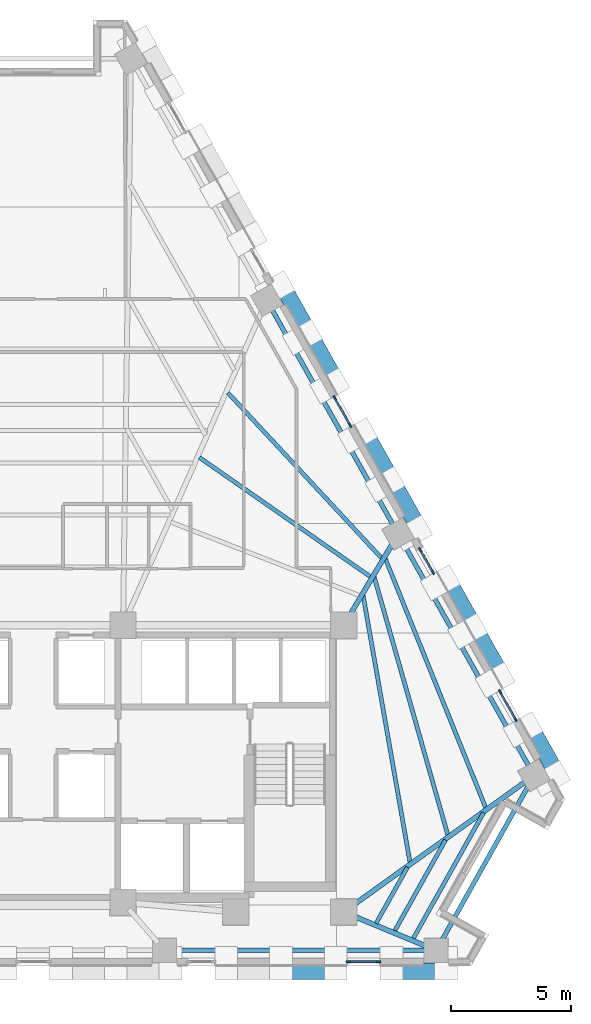
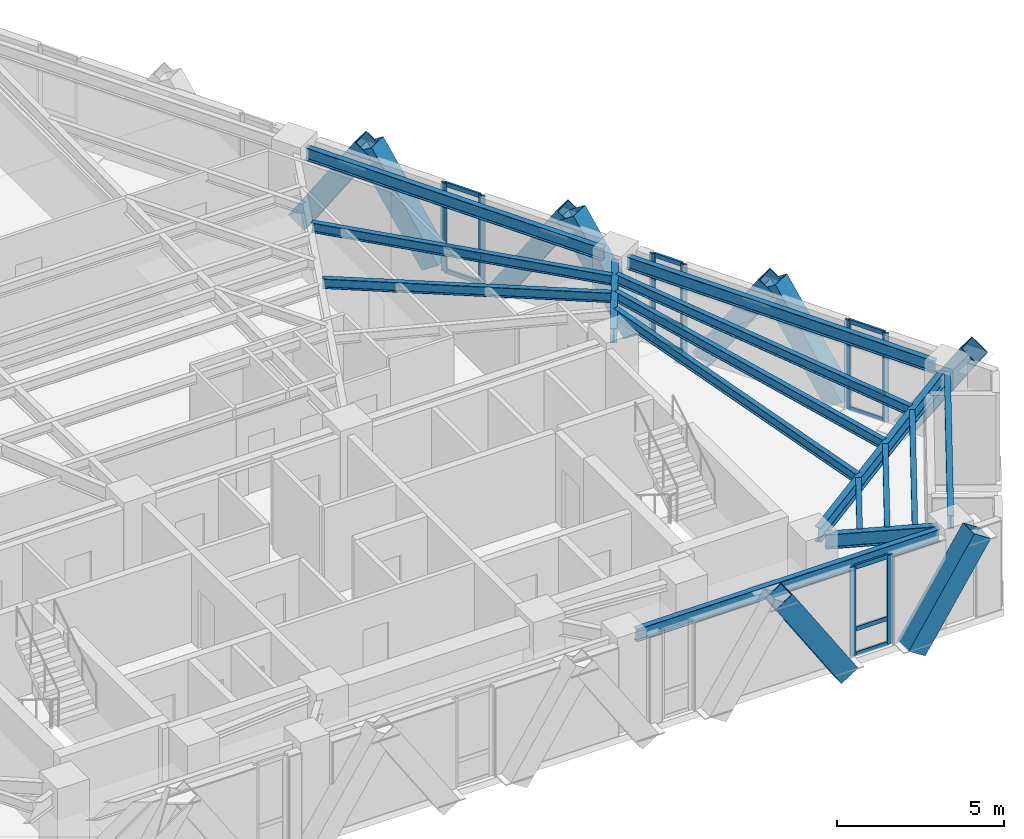
# One storey, part 4 of 13: 29 members, 15 beams, 4 elements without a shape of their own.
"""IFC4 building model written with IfcOpenShell, lengths in metres."""

from ifc_helpers import new_model, si_unit, direction, frame, origin, origin_2d, place, context, subcontext, project, spatial, rectangle, hollow_rectangle, i_section, extrude, material, material_profile, profile_set, type_object, element, aggregate, save


model = new_model("IFC4")

# Units and contexts
model_context = context("Model", 3, precision=1e-05, world=origin(), true_north=direction((0.0, 1.0)))
body_context = subcontext(model_context, "Body", "Model", "MODEL_VIEW")
ifc_project = project(units=[si_unit("LENGTHUNIT", "METRE"), si_unit("AREAUNIT", "SQUARE_METRE"), si_unit("VOLUMEUNIT", "CUBIC_METRE"), si_unit("PLANEANGLEUNIT", "RADIAN"), si_unit("MASSUNIT", "GRAM", prefix="KILO")], contexts=[model_context])

# Site, building, storey
site_placement = place(None, origin())
site = spatial("IfcSite", under=ifc_project, at=site_placement, CompositionType="ELEMENT")
building_placement = place(site_placement, origin())
building = spatial("IfcBuilding", under=site, at=building_placement, Name="Quenlor Broadcast Tower", CompositionType="ELEMENT")
storey_placement = place(building_placement, frame((0.0, 0.0, 158.0)))
storey = spatial("IfcBuildingStorey", under=building, at=storey_placement, Name="L43", CompositionType="ELEMENT", Elevation=158.0)

# Curtain wall, members
ifc_material_1 = material(Name="Architectural Terracotta and Low-E Glazing", Category="masonry")
curtain_wall_type = type_object("IfcCurtainWallType", Name="Unitised Terracotta Curtain Wall System Z3", PredefinedType="NOTDEFINED", material=ifc_material_1)
curtain_wall_1_placement = place(storey_placement, origin())
curtain_wall_1 = element("IfcCurtainWall", 1, at=curtain_wall_1_placement, inside=storey, type_object=curtain_wall_type, Name="L43 Curtain Wall CW3 (L43-SA-G1)", PredefinedType="NOTDEFINED")
ifc_material_2 = material(Name="Aluminium 6063-T6", Category="aluminium")
ifc_material_profile_1 = material_profile(ifc_material_2, rectangle(XDim=0.070068359375, YDim=0.18994140625, at=origin_2d()))
ifc_profile_set_1 = profile_set([ifc_material_profile_1], Name="Aluminium 6063-T6 MULL70x190")
member_type_1 = type_object("IfcMemberType", Name="CW3 Aluminium Mullion MULL_CW3", PredefinedType="MULLION", material=ifc_profile_set_1)
member_1_placement = place(storey_placement, frame((14.409912109375, -18.824951171875, 0.0), z_axis=(0.0, 0.0, 1.0), x_axis=(0.0, -1.0, 0.0)))
member_1 = element("IfcMember", 2, at=member_1_placement, type_object=member_type_1, Name="CW3 mullion 1", PredefinedType="MULLION", context=body_context, shape_type="SweptSolid", body=[
    extrude(rectangle(XDim=0.070068359375, YDim=0.18994140625, at=origin_2d()), origin(), (0.0, 0.0, 1.0), 3.25),
])
member_2_placement = place(storey_placement, frame((13.14208984375, -18.824951171875, 0.0), z_axis=(0.0, 0.0, 1.0), x_axis=(0.0, -1.0, 0.0)))
member_2 = element("IfcMember", 3, at=member_2_placement, type_object=member_type_1, Name="CW3 mullion 2", PredefinedType="MULLION", context=body_context, shape_type="SweptSolid", body=[
    extrude(rectangle(XDim=0.070068359375, YDim=0.18994140625, at=origin_2d()), origin(), (0.0, 0.0, 1.0), 3.25),
])

curtain_wall_2_placement = place(storey_placement, origin())
curtain_wall_2 = element("IfcCurtainWall", 4, at=curtain_wall_2_placement, inside=storey, type_object=curtain_wall_type, Name="L43 Curtain Wall CW3 (L43-NEC-G1)", PredefinedType="NOTDEFINED")
member_3_placement = place(storey_placement, frame((16.137939453125, -1.646728515625, 0.0), z_axis=(0.0, 0.0, 1.0), x_axis=(0.871580169247, 0.490253004657, 0.0)))
member_3 = element("IfcMember", 5, at=member_3_placement, type_object=member_type_1, Name="CW3 mullion 1", PredefinedType="MULLION", context=body_context, shape_type="SweptSolid", body=[
    extrude(rectangle(XDim=0.070068359375, YDim=0.18994140625, at=origin_2d()), origin(), (0.0, 0.0, 1.0), 3.25),
])
member_4_placement = place(storey_placement, frame((16.6689453125, -2.5908203125, 0.0), z_axis=(0.0, 0.0, 1.0), x_axis=(0.871580169247, 0.490253004657, 0.0)))
member_4 = element("IfcMember", 6, at=member_4_placement, type_object=member_type_1, Name="CW3 mullion 2", PredefinedType="MULLION", context=body_context, shape_type="SweptSolid", body=[
    extrude(rectangle(XDim=0.070068359375, YDim=0.18994140625, at=origin_2d()), origin(), (0.0, 0.0, 1.0), 3.25),
])

curtain_wall_3_placement = place(storey_placement, origin())
curtain_wall_3 = element("IfcCurtainWall", 7, at=curtain_wall_3_placement, inside=storey, type_object=curtain_wall_type, Name="L43 Curtain Wall CW3 (L43-NEC-G2)", PredefinedType="NOTDEFINED")
member_5_placement = place(storey_placement, frame((19.47021484375, -7.570556640625, 0.0), z_axis=(0.0, 0.0, 1.0), x_axis=(0.871575537123, 0.490261239636, 0.0)))
member_5 = element("IfcMember", 8, at=member_5_placement, type_object=member_type_1, Name="CW3 mullion 1", PredefinedType="MULLION", context=body_context, shape_type="SweptSolid", body=[
    extrude(rectangle(XDim=0.070068359375, YDim=0.18994140625, at=origin_2d()), origin(), (0.0, 0.0, 1.0), 3.25),
])
member_6_placement = place(storey_placement, frame((20.1171875, -8.720703125, 0.0), z_axis=(0.0, 0.0, 1.0), x_axis=(0.871575537123, 0.490261239636, 0.0)))
member_6 = element("IfcMember", 9, at=member_6_placement, type_object=member_type_1, Name="CW3 mullion 2", PredefinedType="MULLION", context=body_context, shape_type="SweptSolid", body=[
    extrude(rectangle(XDim=0.070068359375, YDim=0.18994140625, at=origin_2d()), origin(), (0.0, 0.0, 1.0), 3.25),
])

curtain_wall_4_placement = place(storey_placement, origin())
curtain_wall_4 = element("IfcCurtainWall", 10, at=curtain_wall_4_placement, inside=storey, type_object=curtain_wall_type, Name="L43 Curtain Wall CW3 (L43-NE-G1)", PredefinedType="NOTDEFINED")
member_7_placement = place(storey_placement, frame((12.573974609375, 4.689208984375, 0.0), z_axis=(0.0, 0.0, 1.0), x_axis=(0.871562085714, 0.490285152484, 0.0)))
member_7 = element("IfcMember", 11, at=member_7_placement, type_object=member_type_1, Name="CW3 mullion 1", PredefinedType="MULLION", context=body_context, shape_type="SweptSolid", body=[
    extrude(rectangle(XDim=0.070068359375, YDim=0.18994140625, at=origin_2d()), origin(), (0.0, 0.0, 1.0), 3.25),
])
member_8_placement = place(storey_placement, frame((13.220947265625, 3.5390625, 0.0), z_axis=(0.0, 0.0, 1.0), x_axis=(0.871562085714, 0.490285152484, 0.0)))
member_8 = element("IfcMember", 12, at=member_8_placement, type_object=member_type_1, Name="CW3 mullion 2", PredefinedType="MULLION", context=body_context, shape_type="SweptSolid", body=[
    extrude(rectangle(XDim=0.070068359375, YDim=0.18994140625, at=origin_2d()), origin(), (0.0, 0.0, 1.0), 3.25),
])

# Member
ifc_material_3 = material(Name="Aluminium 6063-T6", Category="aluminium")
ifc_material_profile_2 = material_profile(ifc_material_3, rectangle(XDim=0.070068359375, YDim=0.155029296875, at=origin_2d()))
ifc_profile_set_2 = profile_set([ifc_material_profile_2], Name="Aluminium 6063-T6 TRAN70x155")
member_type_2 = type_object("IfcMemberType", Name="CW3 Aluminium Transom TRAN_CW3", PredefinedType="USERDEFINED", material=ifc_profile_set_2)
member_9_placement = place(storey_placement, frame((14.375, -18.824951171875, 0.034912109375), z_axis=(-1.0, 0.0, 0.0), x_axis=(0.0, -1.0, 0.0)))
member_9 = element("IfcMember", 13, at=member_9_placement, type_object=member_type_2, Name="CW3 transom 1.1", ObjectType="TRANSOM", PredefinedType="USERDEFINED", context=body_context, shape_type="SweptSolid", body=[
    extrude(rectangle(XDim=0.070068359375, YDim=0.155029296875, at=origin_2d()), origin(), (0.0, 0.0, 1.0), 1.197998046875),
])

member_10_placement = place(storey_placement, frame((14.375, -18.824951171875, 0.949951171875), z_axis=(-1.0, 0.0, 0.0), x_axis=(0.0, -1.0, 0.0)))
member_10 = element("IfcMember", 14, at=member_10_placement, type_object=member_type_2, Name="CW3 transom 1.2", ObjectType="TRANSOM", PredefinedType="USERDEFINED", context=body_context, shape_type="SweptSolid", body=[
    extrude(rectangle(XDim=0.070068359375, YDim=0.155029296875, at=origin_2d()), origin(), (0.0, 0.0, 1.0), 1.197998046875),
])

member_11_placement = place(storey_placement, frame((14.375, -18.824951171875, 3.215087890625), z_axis=(-1.0, 0.0, 0.0), x_axis=(0.0, -1.0, 0.0)))
member_11 = element("IfcMember", 15, at=member_11_placement, type_object=member_type_2, Name="CW3 transom 1.3", ObjectType="TRANSOM", PredefinedType="USERDEFINED", context=body_context, shape_type="SweptSolid", body=[
    extrude(rectangle(XDim=0.070068359375, YDim=0.155029296875, at=origin_2d()), origin(), (0.0, 0.0, 1.0), 1.197998046875),
])

aggregate(curtain_wall_1, [member_1, member_2, member_9, member_10, member_11])

member_12_placement = place(storey_placement, frame((16.1552734375, -1.67724609375, 0.034912109375), z_axis=(0.49015826449, -0.871633452635, 0.0), x_axis=(0.871633452635, 0.49015826449, 0.0)))
member_12 = element("IfcMember", 16, at=member_12_placement, type_object=member_type_2, Name="CW3 transom 1.1", ObjectType="TRANSOM", PredefinedType="USERDEFINED", context=body_context, shape_type="SweptSolid", body=[
    extrude(rectangle(XDim=0.070068359375, YDim=0.155029296875, at=origin_2d()), origin(), (0.0, 0.0, 1.0), 1.01318359375),
])

member_13_placement = place(storey_placement, frame((16.1552734375, -1.67724609375, 0.949951171875), z_axis=(0.49015826449, -0.871633452635, 0.0), x_axis=(0.871633452635, 0.49015826449, 0.0)))
member_13 = element("IfcMember", 17, at=member_13_placement, type_object=member_type_2, Name="CW3 transom 1.2", ObjectType="TRANSOM", PredefinedType="USERDEFINED", context=body_context, shape_type="SweptSolid", body=[
    extrude(rectangle(XDim=0.070068359375, YDim=0.155029296875, at=origin_2d()), origin(), (0.0, 0.0, 1.0), 1.01318359375),
])

member_14_placement = place(storey_placement, frame((16.1552734375, -1.67724609375, 3.215087890625), z_axis=(0.49015826449, -0.871633452635, 0.0), x_axis=(0.871633452635, 0.49015826449, 0.0)))
member_14 = element("IfcMember", 18, at=member_14_placement, type_object=member_type_2, Name="CW3 transom 1.3", ObjectType="TRANSOM", PredefinedType="USERDEFINED", context=body_context, shape_type="SweptSolid", body=[
    extrude(rectangle(XDim=0.070068359375, YDim=0.155029296875, at=origin_2d()), origin(), (0.0, 0.0, 1.0), 1.01318359375),
])

aggregate(curtain_wall_2, [member_3, member_4, member_12, member_13, member_14])

member_15_placement = place(storey_placement, frame((19.4873046875, -7.60107421875, 0.034912109375), z_axis=(0.490363266059, -0.871518139398, 0.0), x_axis=(0.871518139398, 0.490363266059, 0.0)))
member_15 = element("IfcMember", 19, at=member_15_placement, type_object=member_type_2, Name="CW3 transom 1.1", ObjectType="TRANSOM", PredefinedType="USERDEFINED", context=body_context, shape_type="SweptSolid", body=[
    extrude(rectangle(XDim=0.070068359375, YDim=0.155029296875, at=origin_2d()), origin(), (0.0, 0.0, 1.0), 1.249755859375),
])

member_16_placement = place(storey_placement, frame((19.4873046875, -7.60107421875, 0.949951171875), z_axis=(0.490363266059, -0.871518139398, 0.0), x_axis=(0.871518139398, 0.490363266059, 0.0)))
member_16 = element("IfcMember", 20, at=member_16_placement, type_object=member_type_2, Name="CW3 transom 1.2", ObjectType="TRANSOM", PredefinedType="USERDEFINED", context=body_context, shape_type="SweptSolid", body=[
    extrude(rectangle(XDim=0.070068359375, YDim=0.155029296875, at=origin_2d()), origin(), (0.0, 0.0, 1.0), 1.249755859375),
])

member_17_placement = place(storey_placement, frame((19.4873046875, -7.60107421875, 3.215087890625), z_axis=(0.490363266059, -0.871518139398, 0.0), x_axis=(0.871518139398, 0.490363266059, 0.0)))
member_17 = element("IfcMember", 21, at=member_17_placement, type_object=member_type_2, Name="CW3 transom 1.3", ObjectType="TRANSOM", PredefinedType="USERDEFINED", context=body_context, shape_type="SweptSolid", body=[
    extrude(rectangle(XDim=0.070068359375, YDim=0.155029296875, at=origin_2d()), origin(), (0.0, 0.0, 1.0), 1.249755859375),
])

aggregate(curtain_wall_3, [member_5, member_6, member_15, member_16, member_17])

member_18_placement = place(storey_placement, frame((12.591064453125, 4.65869140625, 0.034912109375), z_axis=(0.490363266059, -0.871518139398, 0.0), x_axis=(0.871518139398, 0.490363266059, 0.0)))
member_18 = element("IfcMember", 22, at=member_18_placement, type_object=member_type_2, Name="CW3 transom 1.1", ObjectType="TRANSOM", PredefinedType="USERDEFINED", context=body_context, shape_type="SweptSolid", body=[
    extrude(rectangle(XDim=0.070068359375, YDim=0.155029296875, at=origin_2d()), origin(), (0.0, 0.0, 1.0), 1.249755859375),
])

member_19_placement = place(storey_placement, frame((12.591064453125, 4.65869140625, 0.949951171875), z_axis=(0.490363266059, -0.871518139398, 0.0), x_axis=(0.871518139398, 0.490363266059, 0.0)))
member_19 = element("IfcMember", 23, at=member_19_placement, type_object=member_type_2, Name="CW3 transom 1.2", ObjectType="TRANSOM", PredefinedType="USERDEFINED", context=body_context, shape_type="SweptSolid", body=[
    extrude(rectangle(XDim=0.070068359375, YDim=0.155029296875, at=origin_2d()), origin(), (0.0, 0.0, 1.0), 1.249755859375),
])

member_20_placement = place(storey_placement, frame((12.591064453125, 4.65869140625, 3.215087890625), z_axis=(0.490363266059, -0.871518139398, 0.0), x_axis=(0.871518139398, 0.490363266059, 0.0)))
member_20 = element("IfcMember", 24, at=member_20_placement, type_object=member_type_2, Name="CW3 transom 1.3", ObjectType="TRANSOM", PredefinedType="USERDEFINED", context=body_context, shape_type="SweptSolid", body=[
    extrude(rectangle(XDim=0.070068359375, YDim=0.155029296875, at=origin_2d()), origin(), (0.0, 0.0, 1.0), 1.249755859375),
])

aggregate(curtain_wall_4, [member_7, member_8, member_18, member_19, member_20])

# Members
ifc_material_4 = material(Name="Steel S355", Category="steel")
ifc_material_profile_3 = material_profile(ifc_material_4, hollow_rectangle(XDim=0.679931640625, YDim=0.679931640625, WallThickness=0.02490234375, at=origin_2d()))
ifc_profile_set_3 = profile_set([ifc_material_profile_3], Name="Steel S355 RHS680x680x25")
member_type_3 = type_object("IfcMemberType", Name="Perimeter Diagonal Lattice Brace Z3-Z4 Steel S355 RHS680x25", PredefinedType="BRACE", material=ifc_profile_set_3)
for number, where, z_axis, x_axis, name in (
    (25, (12.6142578125, -19.219970703125, -0.1201171875), (-0.543901560697, 0.0, 0.839149028643), (0.0, -1.0, 0.0), "L43 Perimeter Diamond Lattice S-C1S"),
    (26, (14.937744140625, -19.219970703125, -0.1201171875), (0.543901560697, 0.0, 0.839149028643), (0.0, 1.0, 0.0), "L43 Perimeter Diamond Lattice S-C1B"),
):
    element("IfcMember", number, at=place(storey_placement, frame(where, z_axis=z_axis, x_axis=x_axis)), inside=storey, type_object=member_type_3, Name=name, PredefinedType="BRACE", context=body_context, shape_type="SweptSolid", body=[
        extrude(hollow_rectangle(XDim=0.679931640625, YDim=0.679931640625, WallThickness=0.02490234375, at=origin_2d()), origin(), (0.0, 0.0, 1.0), 4.1708984375),
    ])
for number, where, z_axis, x_axis, name in (
    (27, (10.375244140625, 9.40380859375, -0.1201171875), (0.2705491942, -0.481008661973, 0.833926735766), (0.871589611547, 0.490236217596, 0.0), "L43 Perimeter Diamond Lattice NE-C2S"),
    (28, (13.823486328125, 3.27392578125, -0.1201171875), (0.2705491942, -0.481008661973, 0.833926735766), (0.871589611547, 0.490236217596, 0.0), "L43 Perimeter Diamond Lattice NE-C3S"),
    (29, (12.66015625, 5.341796875, -0.1201171875), (-0.2705491942, 0.481008661973, 0.833926735766), (-0.871589611547, -0.490236217596, 0.0), "L43 Perimeter Diamond Lattice NE-C3B"),
    (30, (17.271484375, -2.85595703125, -0.1201171875), (0.2705491942, -0.481008661973, 0.833926735766), (0.871589611547, 0.490236217596, 0.0), "L43 Perimeter Diamond Lattice NE-C4S"),
    (31, (16.1083984375, -0.7880859375, -0.1201171875), (-0.27060310517, 0.481001091283, 0.833913610428), (-0.871544572467, -0.490316283845, 0.0), "L43 Perimeter Diamond Lattice NE-C4B"),
    (32, (20.719482421875, -8.98583984375, -0.1201171875), (0.2705491942, -0.481008661973, 0.833926735766), (0.871589611547, 0.490236217596, 0.0), "L43 Perimeter Diamond Lattice NE-C5S"),
    (33, (19.556396484375, -6.918212890625, -0.1201171875), (-0.2705491942, 0.481008661973, 0.833926735766), (-0.871589611547, -0.490236217596, 0.0), "L43 Perimeter Diamond Lattice NE-C5B"),
):
    element("IfcMember", number, at=place(storey_placement, frame(where, z_axis=z_axis, x_axis=x_axis)), inside=storey, type_object=member_type_3, Name=name, PredefinedType="BRACE", context=body_context, shape_type="SweptSolid", body=[
        extrude(hollow_rectangle(XDim=0.679931640625, YDim=0.679931640625, WallThickness=0.02490234375, at=origin_2d()), origin(), (0.0, 0.0, 1.0), 4.197021484375),
    ])

# Beams
ifc_material_5 = material(Name="Steel S355", Category="steel")
ifc_material_profile_4 = material_profile(ifc_material_5, i_section(OverallWidth=0.19091796875, OverallDepth=0.46044921875, WebThickness=0.010009765625, FlangeThickness=0.01611328125, FilletRadius=0.011474609375, at=origin_2d()))
ifc_profile_set_4 = profile_set([ifc_material_profile_4], Name="Steel S355 460UB82.1")
beam_type_1 = type_object("IfcBeamType", Name="Perimeter Spandrel Beam Z3 Steel S355 460UB82.1", PredefinedType="SPANDREL", material=ifc_profile_set_4)
beam_1_placement = place(storey_placement, frame((5.89111328125, -18.35009765625, 3.019775390625), z_axis=(1.0, 0.0, 0.0), x_axis=(0.0, 1.0, 0.0)))
element("IfcBeam", 34, at=beam_1_placement, inside=storey, type_object=beam_type_1, Name="L43 Spandrel Beam S3-S4", PredefinedType="SPANDREL", context=body_context, shape_type="SweptSolid", body=[
    extrude(i_section(OverallWidth=0.19091796875, OverallDepth=0.46044921875, WebThickness=0.010009765625, FlangeThickness=0.01611328125, FilletRadius=0.011474609375, at=origin_2d()), origin(), (0.0, 0.0, 1.0), 10.50732421875),
])
beam_2_placement = place(storey_placement, frame((17.008544921875, -17.9921875, 3.019775390625), z_axis=(0.488298439934, 0.872676706208, 0.0), x_axis=(-0.872676706208, 0.488298439934, 0.0)))
element("IfcBeam", 35, at=beam_2_placement, inside=storey, type_object=beam_type_1, Name="L43 Spandrel Beam S4-NE1", PredefinedType="SPANDREL", context=body_context, shape_type="SweptSolid", body=[
    extrude(i_section(OverallWidth=0.19091796875, OverallDepth=0.46044921875, WebThickness=0.010009765625, FlangeThickness=0.01611328125, FilletRadius=0.011474609375, at=origin_2d()), origin(), (0.0, 0.0, 1.0), 7.5341796875),
])
beam_3_placement = place(storey_placement, frame((20.686767578125, -10.7021484375, 3.019775390625), z_axis=(-0.490257999604, 0.871577359633, 0.0), x_axis=(-0.871577359633, -0.490257999604, 0.0)))
element("IfcBeam", 36, at=beam_3_placement, inside=storey, type_object=beam_type_1, Name="L43 Spandrel Beam NE1-NE2", PredefinedType="SPANDREL", context=body_context, shape_type="SweptSolid", body=[
    extrude(i_section(OverallWidth=0.19091796875, OverallDepth=0.46044921875, WebThickness=0.010009765625, FlangeThickness=0.01611328125, FilletRadius=0.011474609375, at=origin_2d()), origin(), (0.0, 0.0, 1.0), 10.732666015625),
])
beam_4_placement = place(storey_placement, frame((15.02294921875, -0.63330078125, 3.019775390625), z_axis=(-0.490252288562, 0.871580572041, 0.0), x_axis=(-0.871580572041, -0.490252288562, 0.0)))
element("IfcBeam", 37, at=beam_4_placement, inside=storey, type_object=beam_type_1, Name="L43 Spandrel Beam NE2-NE3", PredefinedType="SPANDREL", context=body_context, shape_type="SweptSolid", body=[
    extrude(i_section(OverallWidth=0.19091796875, OverallDepth=0.46044921875, WebThickness=0.010009765625, FlangeThickness=0.01611328125, FilletRadius=0.011474609375, at=origin_2d()), origin(), (0.0, 0.0, 1.0), 10.359619140625),
])
ifc_material_6 = material(Name="Steel S355", Category="steel")
ifc_material_profile_5 = material_profile(ifc_material_6, i_section(OverallWidth=0.172119140625, OverallDepth=0.358642578125, WebThickness=0.008056640625, FlangeThickness=0.012939453125, FilletRadius=0.011474609375, at=origin_2d()))
ifc_profile_set_5 = profile_set([ifc_material_profile_5], Name="Steel S355 360UB56.7")
beam_type_2 = type_object("IfcBeamType", Name="Tower Composite Joist Z2-Z3 Steel S355 360UB56.7", PredefinedType="JOIST", material=ifc_profile_set_5)
beam_5_placement = place(storey_placement, frame((14.06689453125, -2.7734375, 3.07080078125), z_axis=(-0.82026568394, 0.57198269882, 0.0), x_axis=(-0.57198269882, -0.82026568394, 0.0)))
element("IfcBeam", 38, at=beam_5_placement, inside=storey, type_object=beam_type_2, Name="L43 Secondary Composite Joist 11", PredefinedType="JOIST", context=body_context, shape_type="SweptSolid", body=[
    extrude(i_section(OverallWidth=0.172119140625, OverallDepth=0.358642578125, WebThickness=0.008056640625, FlangeThickness=0.012939453125, FilletRadius=0.011474609375, at=origin_2d()), origin(), (0.0, 0.0, 1.0), 8.698486328125),
])
beam_6_placement = place(storey_placement, frame((14.53271484375, -1.998779296875, 3.07080078125), z_axis=(-0.680873505991, 0.732401030065, 0.0), x_axis=(-0.732401030065, -0.680873505991, 0.0)))
element("IfcBeam", 39, at=beam_6_placement, inside=storey, type_object=beam_type_2, Name="L43 Secondary Composite Joist 12", PredefinedType="JOIST", context=body_context, shape_type="SweptSolid", body=[
    extrude(i_section(OverallWidth=0.172119140625, OverallDepth=0.358642578125, WebThickness=0.008056640625, FlangeThickness=0.012939453125, FilletRadius=0.011474609375, at=origin_2d()), origin(), (0.0, 0.0, 1.0), 9.419189453125),
])
beam_7_placement = place(storey_placement, frame((15.71435546875, -14.679443359375, 3.07080078125), z_axis=(-0.172906811417, 0.984938188195, 0.0), x_axis=(-0.984938188195, -0.172906811417, 0.0)))
element("IfcBeam", 40, at=beam_7_placement, inside=storey, type_object=beam_type_2, Name="L43 Secondary Composite Joist 16", PredefinedType="JOIST", context=body_context, shape_type="SweptSolid", body=[
    extrude(i_section(OverallWidth=0.172119140625, OverallDepth=0.358642578125, WebThickness=0.008056640625, FlangeThickness=0.012939453125, FilletRadius=0.011474609375, at=origin_2d()), origin(), (0.0, 0.0, 1.0), 11.30419921875),
])
beam_8_placement = place(storey_placement, frame((17.293701171875, -13.543212890625, 3.07080078125), z_axis=(-0.274418577045, 0.961610339261, 0.0), x_axis=(-0.961610339261, -0.274418577045, 0.0)))
element("IfcBeam", 41, at=beam_8_placement, inside=storey, type_object=beam_type_2, Name="L43 Secondary Composite Joist 17", PredefinedType="JOIST", context=body_context, shape_type="SweptSolid", body=[
    extrude(i_section(OverallWidth=0.172119140625, OverallDepth=0.358642578125, WebThickness=0.008056640625, FlangeThickness=0.012939453125, FilletRadius=0.011474609375, at=origin_2d()), origin(), (0.0, 0.0, 1.0), 11.191162109375),
])
beam_9_placement = place(storey_placement, frame((18.873291015625, -12.407958984375, 3.07080078125), z_axis=(-0.373824118901, 0.927499610851, 0.0), x_axis=(-0.927499610851, -0.373824118901, 0.0)))
element("IfcBeam", 42, at=beam_9_placement, inside=storey, type_object=beam_type_2, Name="L43 Secondary Composite Joist 18", PredefinedType="JOIST", context=body_context, shape_type="SweptSolid", body=[
    extrude(i_section(OverallWidth=0.172119140625, OverallDepth=0.358642578125, WebThickness=0.008056640625, FlangeThickness=0.012939453125, FilletRadius=0.011474609375, at=origin_2d()), origin(), (0.0, 0.0, 1.0), 11.203125),
])
beam_10_placement = place(storey_placement, frame((14.30078125, -17.22412109375, 3.07080078125), z_axis=(0.488370382241, 0.87263644764, 0.0), x_axis=(-0.87263644764, 0.488370382241, 0.0)))
element("IfcBeam", 43, at=beam_10_placement, inside=storey, type_object=beam_type_2, Name="L43 Secondary Composite Joist 22", PredefinedType="JOIST", context=body_context, shape_type="SweptSolid", body=[
    extrude(i_section(OverallWidth=0.172119140625, OverallDepth=0.358642578125, WebThickness=0.008056640625, FlangeThickness=0.012939453125, FilletRadius=0.011474609375, at=origin_2d()), origin(), (0.0, 0.0, 1.0), 2.680419921875),
])
beam_11_placement = place(storey_placement, frame((15.072509765625, -17.544189453125, 3.07080078125), z_axis=(0.488294103756, 0.872679132463, 0.0), x_axis=(-0.872679132463, 0.488294103756, 0.0)))
element("IfcBeam", 44, at=beam_11_placement, inside=storey, type_object=beam_type_2, Name="L43 Secondary Composite Joist 23", PredefinedType="JOIST", context=body_context, shape_type="SweptSolid", body=[
    extrude(i_section(OverallWidth=0.172119140625, OverallDepth=0.358642578125, WebThickness=0.008056640625, FlangeThickness=0.012939453125, FilletRadius=0.011474609375, at=origin_2d()), origin(), (0.0, 0.0, 1.0), 4.351318359375),
])
beam_12_placement = place(storey_placement, frame((15.84423828125, -17.8642578125, 3.07080078125), z_axis=(0.488308300212, 0.872671188905, 0.0), x_axis=(-0.872671188905, 0.488308300212, 0.0)))
element("IfcBeam", 45, at=beam_12_placement, inside=storey, type_object=beam_type_2, Name="L43 Secondary Composite Joist 24", PredefinedType="JOIST", context=body_context, shape_type="SweptSolid", body=[
    extrude(i_section(OverallWidth=0.172119140625, OverallDepth=0.358642578125, WebThickness=0.008056640625, FlangeThickness=0.012939453125, FilletRadius=0.011474609375, at=origin_2d()), origin(), (0.0, 0.0, 1.0), 6.022216796875),
])
ifc_material_7 = material(Name="Steel S355", Category="steel")
ifc_material_profile_6 = material_profile(ifc_material_7, i_section(OverallWidth=0.208984375, OverallDepth=0.532958984375, WebThickness=0.01025390625, FlangeThickness=0.015625, FilletRadius=0.013916015625, at=origin_2d()))
ifc_profile_set_6 = profile_set([ifc_material_profile_6], Name="Steel S355 530UB92.4")
beam_type_3 = type_object("IfcBeamType", Name="Tower Primary Floor Beam Z3 Steel S355 530UB92.4", PredefinedType="BEAM", material=ifc_profile_set_6)
beam_13_placement = place(storey_placement, frame((16.4296875, -18.19287109375, 2.9833984375), z_axis=(-0.923730294618, 0.383043525993, 0.0), x_axis=(-0.383043525993, -0.923730294618, 0.0)))
element("IfcBeam", 46, at=beam_13_placement, inside=storey, type_object=beam_type_3, Name="L43 Primary Radial Beam S4", PredefinedType="BEAM", context=body_context, shape_type="SweptSolid", body=[
    extrude(i_section(OverallWidth=0.208984375, OverallDepth=0.532958984375, WebThickness=0.01025390625, FlangeThickness=0.015625, FilletRadius=0.013916015625, at=origin_2d()), origin(), (0.0, 0.0, 1.0), 3.386962890625),
])
beam_14_placement = place(storey_placement, frame((20.554443359375, -11.29833984375, 2.9833984375), z_axis=(-0.812728908832, -0.582642017666, 0.0), x_axis=(0.582642017666, -0.812728908832, 0.0)))
element("IfcBeam", 47, at=beam_14_placement, inside=storey, type_object=beam_type_3, Name="L43 Primary Radial Beam NE1", PredefinedType="BEAM", context=body_context, shape_type="SweptSolid", body=[
    extrude(i_section(OverallWidth=0.208984375, OverallDepth=0.532958984375, WebThickness=0.01025390625, FlangeThickness=0.015625, FilletRadius=0.013916015625, at=origin_2d()), origin(), (0.0, 0.0, 1.0), 8.976806640625),
])
beam_15_placement = place(storey_placement, frame((15.013916015625, -1.3427734375, 2.9833984375), z_axis=(-0.512604023694, -0.858625130597, 0.0), x_axis=(0.858625130597, -0.512604023694, 0.0)))
element("IfcBeam", 48, at=beam_15_placement, inside=storey, type_object=beam_type_3, Name="L43 Primary Radial Beam NE2", PredefinedType="BEAM", context=body_context, shape_type="SweptSolid", body=[
    extrude(i_section(OverallWidth=0.208984375, OverallDepth=0.532958984375, WebThickness=0.01025390625, FlangeThickness=0.015625, FilletRadius=0.013916015625, at=origin_2d()), origin(), (0.0, 0.0, 1.0), 3.646484375),
])

save(model, "model.ifc")
